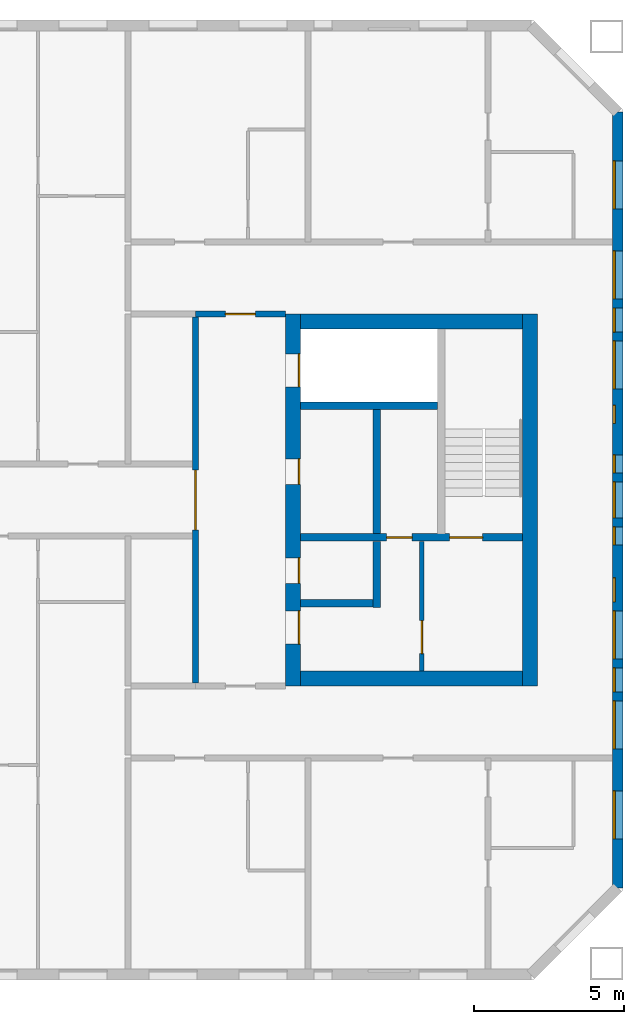
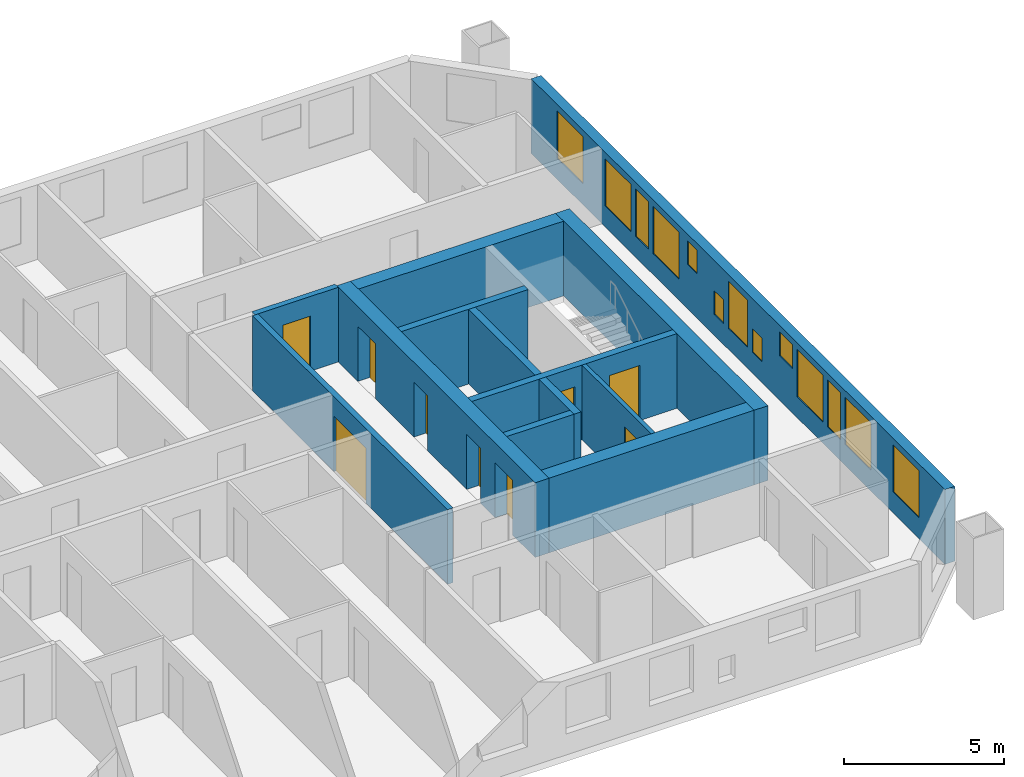
# One storey, part 12 of 15: 13 walls, 13 windows, 9 doors, 22 openings.
"""IFC4 building model written with IfcOpenShell, lengths in metres."""

from ifc_helpers import new_model, si_unit, direction, frame, frame_2d, origin, place, context, subcontext, project, spatial, rectangle, extrude, material, layer, layer_set, type_object, element, fill, save


model = new_model("IFC4")

# Units and contexts
model_context = context("Model", 3, precision=1e-05, world=origin(), true_north=direction((0.0, 1.0)))
body_context = subcontext(model_context, "Body", "Model", "MODEL_VIEW")
ifc_project = project(units=[si_unit("LENGTHUNIT", "METRE"), si_unit("AREAUNIT", "SQUARE_METRE"), si_unit("VOLUMEUNIT", "CUBIC_METRE"), si_unit("PLANEANGLEUNIT", "RADIAN"), si_unit("MASSUNIT", "GRAM", prefix="KILO")], contexts=[model_context])

# Site, building, storey
site_placement = place(None, origin())
site = spatial("IfcSite", under=ifc_project, at=site_placement, CompositionType="ELEMENT")
building_placement = place(site_placement, origin())
building = spatial("IfcBuilding", under=site, at=building_placement, Name="Tuart Gate Housing", CompositionType="ELEMENT")
storey_placement = place(building_placement, frame((0.0, 0.0, 154.699951171875)))
storey = spatial("IfcBuildingStorey", under=building, at=storey_placement, Name="L43", CompositionType="ELEMENT", Elevation=154.699951171875)

# Wall, openings, windows
ifc_material_1 = material(Name="Brick", Category="masonry")
ifc_layer_1 = layer(ifc_material_1, 0.360107421875)
ifc_layer_set_1 = layer_set([ifc_layer_1], Name="Brick pier and spandrel wall 360")
wall_type_1 = type_object("IfcWallType", Name="Brick pier and spandrel wall 360", PredefinedType="STANDARD", material=ifc_layer_set_1)
wall_1_placement = place(storey_placement, frame((171.320068359375, 57.07470703125, 0.0), z_axis=(0.0, 0.0, 1.0), x_axis=(0.0, 1.0, 0.0)))
wall_1 = element("IfcWall", 1, at=wall_1_placement, inside=storey, type_object=wall_type_1, Name="External wall B-E L43", PredefinedType="STANDARD", context=body_context, shape_type="SweptSolid", body=[
    extrude(rectangle(XDim=25.850830078125, YDim=0.360107421875, at=frame_2d((12.92529296875, 0.0))), origin(), (0.0, 0.0, 1.0), 2.85009765625),
])
opening_1_placement = place(wall_1_placement, frame((1.62548828125, 0.0, 0.800048828125)))
opening_1 = element("IfcOpeningElement", 2, at=opening_1_placement, cuts=wall_1, Name="Opening W1", PredefinedType="OPENING", context=body_context, shape_type="SweptSolid", body=[
    extrude(rectangle(XDim=1.60009765625, YDim=1.800048828125, at=frame_2d((0.800048828125, 0.89990234375))), frame((0.0, 0.18994140625, 0.0), z_axis=(0.0, -1.0, 0.0), x_axis=(1.0, 0.0, 0.0)), (0.0, 0.0, 1.0), 0.380126953125),
])
opening_2_placement = place(wall_1_placement, frame((4.62548828125, 0.0, 0.800048828125)))
opening_2 = element("IfcOpeningElement", 3, at=opening_2_placement, cuts=wall_1, Name="Opening W1", PredefinedType="OPENING", context=body_context, shape_type="SweptSolid", body=[
    extrude(rectangle(XDim=1.60009765625, YDim=1.800048828125, at=frame_2d((0.800048828125, 0.89990234375))), frame((0.0, 0.18994140625, 0.0), z_axis=(0.0, -1.0, 0.0), x_axis=(1.0, 0.0, 0.0)), (0.0, 0.0, 1.0), 0.380126953125),
])
opening_3_placement = place(wall_1_placement, frame((7.62548828125, 0.0, 0.800048828125)))
opening_3 = element("IfcOpeningElement", 4, at=opening_3_placement, cuts=wall_1, Name="Opening W1", PredefinedType="OPENING", context=body_context, shape_type="SweptSolid", body=[
    extrude(rectangle(XDim=1.60009765625, YDim=1.800048828125, at=frame_2d((0.800048828125, 0.89990234375))), frame((0.0, 0.18994140625, 0.0), z_axis=(0.0, -1.0, 0.0), x_axis=(1.0, 0.0, 0.0)), (0.0, 0.0, 1.0), 0.380126953125),
])
opening_4_placement = place(wall_1_placement, frame((6.525390625, 0.0, 0.800048828125)))
opening_4 = element("IfcOpeningElement", 5, at=opening_4_placement, cuts=wall_1, Name="Opening W1D", PredefinedType="OPENING", context=body_context, shape_type="SweptSolid", body=[
    extrude(rectangle(XDim=0.800048828125, YDim=1.800048828125, at=frame_2d((0.39990234375, 0.89990234375))), frame((0.0, 0.18994140625, 0.0), z_axis=(0.0, -1.0, 0.0), x_axis=(1.0, 0.0, 0.0)), (0.0, 0.0, 1.0), 0.380126953125),
])
opening_5_placement = place(wall_1_placement, frame((9.525390625, 0.0, 1.699951171875)))
opening_5 = element("IfcOpeningElement", 6, at=opening_5_placement, cuts=wall_1, Name="Opening W1V", PredefinedType="OPENING", context=body_context, shape_type="SweptSolid", body=[
    extrude(rectangle(XDim=0.800048828125, YDim=0.89990234375, at=frame_2d((0.39990234375, 0.449951171875))), frame((0.0, 0.18994140625, 0.0), z_axis=(0.0, -1.0, 0.0), x_axis=(1.0, 0.0, 0.0)), (0.0, 0.0, 1.0), 0.380126953125),
])
opening_6_placement = place(wall_1_placement, frame((16.62548828125, 0.0, 0.800048828125)))
opening_6 = element("IfcOpeningElement", 7, at=opening_6_placement, cuts=wall_1, Name="Opening W1", PredefinedType="OPENING", context=body_context, shape_type="SweptSolid", body=[
    extrude(rectangle(XDim=1.60009765625, YDim=1.800048828125, at=frame_2d((0.800048828125, 0.89990234375))), frame((0.0, 0.18994140625, 0.0), z_axis=(0.0, -1.0, 0.0), x_axis=(1.0, 0.0, 0.0)), (0.0, 0.0, 1.0), 0.380126953125),
])
opening_7_placement = place(wall_1_placement, frame((19.62548828125, 0.0, 0.800048828125)))
opening_7 = element("IfcOpeningElement", 8, at=opening_7_placement, cuts=wall_1, Name="Opening W1", PredefinedType="OPENING", context=body_context, shape_type="SweptSolid", body=[
    extrude(rectangle(XDim=1.60009765625, YDim=1.800048828125, at=frame_2d((0.800048828125, 0.89990234375))), frame((0.0, 0.18994140625, 0.0), z_axis=(0.0, -1.0, 0.0), x_axis=(1.0, 0.0, 0.0)), (0.0, 0.0, 1.0), 0.380126953125),
])
opening_8_placement = place(wall_1_placement, frame((22.62548828125, 0.0, 0.800048828125)))
opening_8 = element("IfcOpeningElement", 9, at=opening_8_placement, cuts=wall_1, Name="Opening W1", PredefinedType="OPENING", context=body_context, shape_type="SweptSolid", body=[
    extrude(rectangle(XDim=1.60009765625, YDim=1.800048828125, at=frame_2d((0.800048828125, 0.89990234375))), frame((0.0, 0.18994140625, 0.0), z_axis=(0.0, -1.0, 0.0), x_axis=(1.0, 0.0, 0.0)), (0.0, 0.0, 1.0), 0.380126953125),
])
opening_9_placement = place(wall_1_placement, frame((11.42529296875, 0.0, 0.800048828125)))
opening_9 = element("IfcOpeningElement", 10, at=opening_9_placement, cuts=wall_1, Name="Opening W1W", PredefinedType="OPENING", context=body_context, shape_type="SweptSolid", body=[
    extrude(rectangle(XDim=0.60009765625, YDim=0.89990234375, at=frame_2d((0.300048828125, 0.449951171875))), frame((0.0, 0.18994140625, 0.0), z_axis=(0.0, -1.0, 0.0), x_axis=(1.0, 0.0, 0.0)), (0.0, 0.0, 1.0), 0.380126953125),
])
opening_10_placement = place(wall_1_placement, frame((12.325439453125, 0.0, 0.800048828125)))
opening_10 = element("IfcOpeningElement", 11, at=opening_10_placement, cuts=wall_1, Name="Opening W1B", PredefinedType="OPENING", context=body_context, shape_type="SweptSolid", body=[
    extrude(rectangle(XDim=1.199951171875, YDim=1.800048828125, at=frame_2d((0.60009765625, 0.89990234375))), frame((0.0, 0.18994140625, 0.0), z_axis=(0.0, -1.0, 0.0), x_axis=(1.0, 0.0, 0.0)), (0.0, 0.0, 1.0), 0.380126953125),
])
opening_11_placement = place(wall_1_placement, frame((13.825439453125, 0.0, 0.800048828125)))
opening_11 = element("IfcOpeningElement", 12, at=opening_11_placement, cuts=wall_1, Name="Opening W1W", PredefinedType="OPENING", context=body_context, shape_type="SweptSolid", body=[
    extrude(rectangle(XDim=0.60009765625, YDim=0.89990234375, at=frame_2d((0.300048828125, 0.449951171875))), frame((0.0, 0.18994140625, 0.0), z_axis=(0.0, -1.0, 0.0), x_axis=(1.0, 0.0, 0.0)), (0.0, 0.0, 1.0), 0.380126953125),
])
opening_12_placement = place(wall_1_placement, frame((15.475341796875, 0.0, 1.699951171875)))
opening_12 = element("IfcOpeningElement", 13, at=opening_12_placement, cuts=wall_1, Name="Opening W1W", PredefinedType="OPENING", context=body_context, shape_type="SweptSolid", body=[
    extrude(rectangle(XDim=0.60009765625, YDim=0.89990234375, at=frame_2d((0.300048828125, 0.449951171875))), frame((0.0, 0.18994140625, 0.0), z_axis=(0.0, -1.0, 0.0), x_axis=(1.0, 0.0, 0.0)), (0.0, 0.0, 1.0), 0.380126953125),
])
opening_13_placement = place(wall_1_placement, frame((18.525390625, 0.0, 0.800048828125)))
opening_13 = element("IfcOpeningElement", 14, at=opening_13_placement, cuts=wall_1, Name="Opening W1D", PredefinedType="OPENING", context=body_context, shape_type="SweptSolid", body=[
    extrude(rectangle(XDim=0.800048828125, YDim=1.800048828125, at=frame_2d((0.39990234375, 0.89990234375))), frame((0.0, 0.18994140625, 0.0), z_axis=(0.0, -1.0, 0.0), x_axis=(1.0, 0.0, 0.0)), (0.0, 0.0, 1.0), 0.380126953125),
])
ifc_material_2 = material(Name="Aluminium frame with clear glass", Category="aluminium")
window_type_1 = type_object("IfcWindowType", Name="Punched window 1200 x 1800", PartitioningType="SINGLE_PANEL", PredefinedType="WINDOW", material=ifc_material_2)
window_1_placement = place(opening_10_placement, origin())
window_1 = element("IfcWindow", 15, at=window_1_placement, inside=storey, type_object=window_type_1, Name="Window W1B", OverallHeight=1.800048828125, OverallWidth=1.199951171875, PartitioningType="SINGLE_PANEL", PredefinedType="WINDOW", context=body_context, shape_type="SweptSolid", body=[
    extrude(rectangle(XDim=1.199951171875, YDim=1.800048828125, at=frame_2d((0.60009765625, 0.89990234375))), frame((0.0, 0.150146484375, 0.0), z_axis=(0.0, -1.0, 0.0), x_axis=(1.0, 0.0, 0.0)), (0.0, 0.0, 1.0), 0.06005859375),
])
fill(opening_10, window_1)
ifc_material_3 = material(Name="Aluminium frame with clear glass", Category="aluminium")
window_type_2 = type_object("IfcWindowType", Name="Punched window 1600 x 1800", PartitioningType="SINGLE_PANEL", PredefinedType="WINDOW", material=ifc_material_3)
window_2_placement = place(opening_1_placement, origin())
window_2 = element("IfcWindow", 16, at=window_2_placement, inside=storey, type_object=window_type_2, Name="Window W1", OverallHeight=1.800048828125, OverallWidth=1.60009765625, PartitioningType="SINGLE_PANEL", PredefinedType="WINDOW", context=body_context, shape_type="SweptSolid", body=[
    extrude(rectangle(XDim=1.60009765625, YDim=1.800048828125, at=frame_2d((0.800048828125, 0.89990234375))), frame((0.0, 0.150146484375, 0.0), z_axis=(0.0, -1.0, 0.0), x_axis=(1.0, 0.0, 0.0)), (0.0, 0.0, 1.0), 0.06005859375),
])
fill(opening_1, window_2)
window_3_placement = place(opening_2_placement, origin())
window_3 = element("IfcWindow", 17, at=window_3_placement, inside=storey, type_object=window_type_2, Name="Window W1", OverallHeight=1.800048828125, OverallWidth=1.60009765625, PartitioningType="SINGLE_PANEL", PredefinedType="WINDOW", context=body_context, shape_type="SweptSolid", body=[
    extrude(rectangle(XDim=1.60009765625, YDim=1.800048828125, at=frame_2d((0.800048828125, 0.89990234375))), frame((0.0, 0.150146484375, 0.0), z_axis=(0.0, -1.0, 0.0), x_axis=(1.0, 0.0, 0.0)), (0.0, 0.0, 1.0), 0.06005859375),
])
fill(opening_2, window_3)
window_4_placement = place(opening_3_placement, origin())
window_4 = element("IfcWindow", 18, at=window_4_placement, inside=storey, type_object=window_type_2, Name="Window W1", OverallHeight=1.800048828125, OverallWidth=1.60009765625, PartitioningType="SINGLE_PANEL", PredefinedType="WINDOW", context=body_context, shape_type="SweptSolid", body=[
    extrude(rectangle(XDim=1.60009765625, YDim=1.800048828125, at=frame_2d((0.800048828125, 0.89990234375))), frame((0.0, 0.150146484375, 0.0), z_axis=(0.0, -1.0, 0.0), x_axis=(1.0, 0.0, 0.0)), (0.0, 0.0, 1.0), 0.06005859375),
])
fill(opening_3, window_4)
window_5_placement = place(opening_6_placement, origin())
window_5 = element("IfcWindow", 19, at=window_5_placement, inside=storey, type_object=window_type_2, Name="Window W1", OverallHeight=1.800048828125, OverallWidth=1.60009765625, PartitioningType="SINGLE_PANEL", PredefinedType="WINDOW", context=body_context, shape_type="SweptSolid", body=[
    extrude(rectangle(XDim=1.60009765625, YDim=1.800048828125, at=frame_2d((0.800048828125, 0.89990234375))), frame((0.0, 0.150146484375, 0.0), z_axis=(0.0, -1.0, 0.0), x_axis=(1.0, 0.0, 0.0)), (0.0, 0.0, 1.0), 0.06005859375),
])
fill(opening_6, window_5)
window_6_placement = place(opening_7_placement, origin())
window_6 = element("IfcWindow", 20, at=window_6_placement, inside=storey, type_object=window_type_2, Name="Window W1", OverallHeight=1.800048828125, OverallWidth=1.60009765625, PartitioningType="SINGLE_PANEL", PredefinedType="WINDOW", context=body_context, shape_type="SweptSolid", body=[
    extrude(rectangle(XDim=1.60009765625, YDim=1.800048828125, at=frame_2d((0.800048828125, 0.89990234375))), frame((0.0, 0.150146484375, 0.0), z_axis=(0.0, -1.0, 0.0), x_axis=(1.0, 0.0, 0.0)), (0.0, 0.0, 1.0), 0.06005859375),
])
fill(opening_7, window_6)
window_7_placement = place(opening_8_placement, origin())
window_7 = element("IfcWindow", 21, at=window_7_placement, inside=storey, type_object=window_type_2, Name="Window W1", OverallHeight=1.800048828125, OverallWidth=1.60009765625, PartitioningType="SINGLE_PANEL", PredefinedType="WINDOW", context=body_context, shape_type="SweptSolid", body=[
    extrude(rectangle(XDim=1.60009765625, YDim=1.800048828125, at=frame_2d((0.800048828125, 0.89990234375))), frame((0.0, 0.150146484375, 0.0), z_axis=(0.0, -1.0, 0.0), x_axis=(1.0, 0.0, 0.0)), (0.0, 0.0, 1.0), 0.06005859375),
])
fill(opening_8, window_7)
ifc_material_4 = material(Name="Aluminium frame with clear glass", Category="aluminium")
window_type_3 = type_object("IfcWindowType", Name="Punched window 600 x 900", PartitioningType="SINGLE_PANEL", PredefinedType="WINDOW", material=ifc_material_4)
window_8_placement = place(opening_9_placement, origin())
window_8 = element("IfcWindow", 22, at=window_8_placement, inside=storey, type_object=window_type_3, Name="Window W1W", OverallHeight=0.89990234375, OverallWidth=0.60009765625, PartitioningType="SINGLE_PANEL", PredefinedType="WINDOW", context=body_context, shape_type="SweptSolid", body=[
    extrude(rectangle(XDim=0.60009765625, YDim=0.89990234375, at=frame_2d((0.300048828125, 0.449951171875))), frame((0.0, 0.150146484375, 0.0), z_axis=(0.0, -1.0, 0.0), x_axis=(1.0, 0.0, 0.0)), (0.0, 0.0, 1.0), 0.06005859375),
])
fill(opening_9, window_8)
window_9_placement = place(opening_11_placement, origin())
window_9 = element("IfcWindow", 23, at=window_9_placement, inside=storey, type_object=window_type_3, Name="Window W1W", OverallHeight=0.89990234375, OverallWidth=0.60009765625, PartitioningType="SINGLE_PANEL", PredefinedType="WINDOW", context=body_context, shape_type="SweptSolid", body=[
    extrude(rectangle(XDim=0.60009765625, YDim=0.89990234375, at=frame_2d((0.300048828125, 0.449951171875))), frame((0.0, 0.150146484375, 0.0), z_axis=(0.0, -1.0, 0.0), x_axis=(1.0, 0.0, 0.0)), (0.0, 0.0, 1.0), 0.06005859375),
])
fill(opening_11, window_9)
window_10_placement = place(opening_12_placement, origin())
window_10 = element("IfcWindow", 24, at=window_10_placement, inside=storey, type_object=window_type_3, Name="Window W1W", OverallHeight=0.89990234375, OverallWidth=0.60009765625, PartitioningType="SINGLE_PANEL", PredefinedType="WINDOW", context=body_context, shape_type="SweptSolid", body=[
    extrude(rectangle(XDim=0.60009765625, YDim=0.89990234375, at=frame_2d((0.300048828125, 0.449951171875))), frame((0.0, 0.150146484375, 0.0), z_axis=(0.0, -1.0, 0.0), x_axis=(1.0, 0.0, 0.0)), (0.0, 0.0, 1.0), 0.06005859375),
])
fill(opening_12, window_10)
ifc_material_5 = material(Name="Aluminium frame with clear glass", Category="aluminium")
window_type_4 = type_object("IfcWindowType", Name="Punched window 800 x 1800", PartitioningType="SINGLE_PANEL", PredefinedType="WINDOW", material=ifc_material_5)
window_11_placement = place(opening_4_placement, origin())
window_11 = element("IfcWindow", 25, at=window_11_placement, inside=storey, type_object=window_type_4, Name="Window W1D", OverallHeight=1.800048828125, OverallWidth=0.800048828125, PartitioningType="SINGLE_PANEL", PredefinedType="WINDOW", context=body_context, shape_type="SweptSolid", body=[
    extrude(rectangle(XDim=0.800048828125, YDim=1.800048828125, at=frame_2d((0.39990234375, 0.89990234375))), frame((0.0, 0.150146484375, 0.0), z_axis=(0.0, -1.0, 0.0), x_axis=(1.0, 0.0, 0.0)), (0.0, 0.0, 1.0), 0.06005859375),
])
fill(opening_4, window_11)
window_12_placement = place(opening_13_placement, origin())
window_12 = element("IfcWindow", 26, at=window_12_placement, inside=storey, type_object=window_type_4, Name="Window W1D", OverallHeight=1.800048828125, OverallWidth=0.800048828125, PartitioningType="SINGLE_PANEL", PredefinedType="WINDOW", context=body_context, shape_type="SweptSolid", body=[
    extrude(rectangle(XDim=0.800048828125, YDim=1.800048828125, at=frame_2d((0.39990234375, 0.89990234375))), frame((0.0, 0.150146484375, 0.0), z_axis=(0.0, -1.0, 0.0), x_axis=(1.0, 0.0, 0.0)), (0.0, 0.0, 1.0), 0.06005859375),
])
fill(opening_13, window_12)
ifc_material_6 = material(Name="Aluminium frame with clear glass", Category="aluminium")
window_type_5 = type_object("IfcWindowType", Name="Punched window 800 x 900", PartitioningType="SINGLE_PANEL", PredefinedType="WINDOW", material=ifc_material_6)
window_13_placement = place(opening_5_placement, origin())
window_13 = element("IfcWindow", 27, at=window_13_placement, inside=storey, type_object=window_type_5, Name="Window W1V", OverallHeight=0.89990234375, OverallWidth=0.800048828125, PartitioningType="SINGLE_PANEL", PredefinedType="WINDOW", context=body_context, shape_type="SweptSolid", body=[
    extrude(rectangle(XDim=0.800048828125, YDim=0.89990234375, at=frame_2d((0.39990234375, 0.449951171875))), frame((0.0, 0.150146484375, 0.0), z_axis=(0.0, -1.0, 0.0), x_axis=(1.0, 0.0, 0.0)), (0.0, 0.0, 1.0), 0.06005859375),
])
fill(opening_5, window_13)

# Wall, opening, door
ifc_material_7 = material(Name="Plasterboard partition")
ifc_layer_2 = layer(ifc_material_7, 0.14990234375)
ifc_layer_set_2 = layer_set([ifc_layer_2], Name="Core partition 150")
wall_type_2 = type_object("IfcWallType", Name="Core partition 150", PredefinedType="PARTITIONING", material=ifc_layer_set_2)
wall_2_placement = place(storey_placement, frame((164.7900390625, 68.625, 0.0), z_axis=(0.0, 0.0, 1.0), x_axis=(0.0, -1.0, 0.0)))
wall_2 = element("IfcWall", 28, at=wall_2_placement, inside=storey, type_object=wall_type_2, Name="Core partition BK.6", PredefinedType="PARTITIONING", context=body_context, shape_type="SweptSolid", body=[
    extrude(rectangle(XDim=4.324951171875, YDim=0.14990234375, at=frame_2d((2.16259765625, 0.0))), origin(), (0.0, 0.0, 1.0), 2.85009765625),
])
opening_14_placement = place(wall_2_placement, frame((2.64990234375, 0.0, 0.0)))
opening_14 = element("IfcOpeningElement", 29, at=opening_14_placement, cuts=wall_2, Name="Opening D1605", PredefinedType="OPENING", context=body_context, shape_type="SweptSolid", body=[
    extrude(rectangle(XDim=1.10009765625, YDim=2.10009765625, at=frame_2d((0.550048828125, 1.050048828125))), frame((0.0, 0.0849609375, 0.0), z_axis=(0.0, -1.0, 0.0), x_axis=(1.0, 0.0, 0.0)), (0.0, 0.0, 1.0), 0.169921875),
])
ifc_material_8 = material(Name="Steel fire door", Category="steel")
door_type_1 = type_object("IfcDoorType", Name="Lobby door 1100 x 2100 RH", OperationType="SINGLE_SWING_RIGHT", PredefinedType="DOOR", material=ifc_material_8)
door_1_placement = place(opening_14_placement, origin())
door_1 = element("IfcDoor", 30, at=door_1_placement, inside=storey, type_object=door_type_1, Name="Smoke lobby door BK.KD", OperationType="SINGLE_SWING_RIGHT", OverallHeight=2.10009765625, OverallWidth=1.10009765625, PredefinedType="DOOR", context=body_context, shape_type="SweptSolid", body=[
    extrude(rectangle(XDim=1.10009765625, YDim=2.10009765625, at=frame_2d((0.550048828125, 1.050048828125))), frame((0.0, 0.02490234375, 0.0), z_axis=(0.0, -1.0, 0.0), x_axis=(1.0, 0.0, 0.0)), (0.0, 0.0, 1.0), 0.050048828125),
])
fill(opening_14, door_1)

# Wall
ifc_material_9 = material(Name="Concrete C40", Category="concrete")
ifc_layer_3 = layer(ifc_material_9, 0.25)
ifc_layer_set_3 = layer_set([ifc_layer_3], Name="Core wall 250 C40")
wall_type_3 = type_object("IfcWallType", Name="Core wall 250 C40", PredefinedType="SHEAR", material=ifc_layer_set_3)
wall_3_placement = place(storey_placement, frame((160.739990234375, 73.14990234375, 0.0), z_axis=(0.0, 0.0, 1.0), x_axis=(1.0, 0.0, 0.0)))
element("IfcWall", 31, at=wall_3_placement, inside=storey, type_object=wall_type_3, Name="Core wall BK.1", PredefinedType="SHEAR", context=body_context, shape_type="SweptSolid", body=[
    extrude(rectangle(XDim=4.574951171875, YDim=0.25, at=frame_2d((2.28759765625, 0.0))), origin(), (0.0, 0.0, 1.0), 2.85009765625),
])

# Wall, openings, doors
wall_4_placement = place(storey_placement, frame((160.739990234375, 68.75, 0.0), z_axis=(0.0, 0.0, 1.0), x_axis=(1.0, 0.0, 0.0)))
wall_4 = element("IfcWall", 32, at=wall_4_placement, inside=storey, type_object=wall_type_3, Name="Core wall BK.2", PredefinedType="SHEAR", context=body_context, shape_type="SweptSolid", body=[
    extrude(rectangle(XDim=7.39990234375, YDim=0.25, at=frame_2d((3.699951171875, 0.0))), origin(), (0.0, 0.0, 1.0), 2.85009765625),
])
opening_15_placement = place(wall_4_placement, frame((4.97509765625, 0.0, 0.0)))
opening_15 = element("IfcOpeningElement", 33, at=opening_15_placement, cuts=wall_4, Name="Opening D1604", PredefinedType="OPENING", context=body_context, shape_type="SweptSolid", body=[
    extrude(rectangle(XDim=1.10009765625, YDim=2.10009765625, at=frame_2d((0.550048828125, 1.050048828125))), frame((0.0, 0.135009765625, 0.0), z_axis=(0.0, -1.0, 0.0), x_axis=(1.0, 0.0, 0.0)), (0.0, 0.0, 1.0), 0.27001953125),
])
opening_16_placement = place(wall_4_placement, frame((2.875, 0.0, 0.0)))
opening_16 = element("IfcOpeningElement", 34, at=opening_16_placement, cuts=wall_4, Name="Opening D1603", PredefinedType="OPENING", context=body_context, shape_type="SweptSolid", body=[
    extrude(rectangle(XDim=0.85009765625, YDim=2.10009765625, at=frame_2d((0.425048828125, 1.050048828125))), frame((0.0, 0.135009765625, 0.0), z_axis=(0.0, -1.0, 0.0), x_axis=(1.0, 0.0, 0.0)), (0.0, 0.0, 1.0), 0.27001953125),
])
ifc_material_10 = material(Name="Steel fire door", Category="steel")
door_type_2 = type_object("IfcDoorType", Name="Riser door 850 x 2100", OperationType="SINGLE_SWING_LEFT", PredefinedType="DOOR", material=ifc_material_10)
door_2_placement = place(opening_16_placement, origin())
door_2 = element("IfcDoor", 35, at=door_2_placement, inside=storey, type_object=door_type_2, Name="Service room door BK.W1", OperationType="SINGLE_SWING_LEFT", OverallHeight=2.10009765625, OverallWidth=0.85009765625, PredefinedType="DOOR", context=body_context, shape_type="SweptSolid", body=[
    extrude(rectangle(XDim=0.85009765625, YDim=2.10009765625, at=frame_2d((0.425048828125, 1.050048828125))), frame((0.0, 0.02490234375, 0.0), z_axis=(0.0, -1.0, 0.0), x_axis=(1.0, 0.0, 0.0)), (0.0, 0.0, 1.0), 0.050048828125),
])
fill(opening_16, door_2)
ifc_material_11 = material(Name="Steel fire door", Category="steel")
door_type_3 = type_object("IfcDoorType", Name="Stair door 1100 x 2100", OperationType="SINGLE_SWING_LEFT", PredefinedType="DOOR", material=ifc_material_11)
door_3_placement = place(opening_15_placement, origin())
door_3 = element("IfcDoor", 36, at=door_3_placement, inside=storey, type_object=door_type_3, Name="Stair door BK.SD", OperationType="SINGLE_SWING_LEFT", OverallHeight=2.10009765625, OverallWidth=1.10009765625, PredefinedType="DOOR", context=body_context, shape_type="SweptSolid", body=[
    extrude(rectangle(XDim=1.10009765625, YDim=2.10009765625, at=frame_2d((0.550048828125, 1.050048828125))), frame((0.0, 0.02490234375, 0.0), z_axis=(0.0, -1.0, 0.0), x_axis=(1.0, 0.0, 0.0)), (0.0, 0.0, 1.0), 0.050048828125),
])
fill(opening_15, door_3)

# Walls
wall_5_placement = place(storey_placement, frame((160.739990234375, 66.550048828125, 0.0), z_axis=(0.0, 0.0, 1.0), x_axis=(1.0, 0.0, 0.0)))
element("IfcWall", 37, at=wall_5_placement, inside=storey, type_object=wall_type_3, Name="Core wall BK.3", PredefinedType="SHEAR", context=body_context, shape_type="SweptSolid", body=[
    extrude(rectangle(XDim=2.425048828125, YDim=0.25, at=frame_2d((1.21240234375, 0.0))), origin(), (0.0, 0.0, 1.0), 2.85009765625),
])
wall_6_placement = place(storey_placement, frame((163.2900390625, 73.02490234375, 0.0), z_axis=(0.0, 0.0, 1.0), x_axis=(0.0, -1.0, 0.0)))
element("IfcWall", 38, at=wall_6_placement, inside=storey, type_object=wall_type_3, Name="Core wall BK.4", PredefinedType="SHEAR", context=body_context, shape_type="SweptSolid", body=[
    extrude(rectangle(XDim=4.14990234375, YDim=0.25, at=frame_2d((2.074951171875, 0.0))), origin(), (0.0, 0.0, 1.0), 2.85009765625),
])
wall_7_placement = place(storey_placement, frame((163.2900390625, 68.625, 0.0), z_axis=(0.0, 0.0, 1.0), x_axis=(0.0, -1.0, 0.0)))
element("IfcWall", 39, at=wall_7_placement, inside=storey, type_object=wall_type_3, Name="Core wall BK.5", PredefinedType="SHEAR", context=body_context, shape_type="SweptSolid", body=[
    extrude(rectangle(XDim=2.199951171875, YDim=0.25, at=frame_2d((1.10009765625, 0.0))), origin(), (0.0, 0.0, 1.0), 2.85009765625),
])

# Wall, openings, doors
ifc_material_12 = material(Name="Concrete C40", Category="concrete")
ifc_layer_4 = layer(ifc_material_12, 0.5)
ifc_layer_set_4 = layer_set([ifc_layer_4], Name="Core wall 500 C40")
wall_type_4 = type_object("IfcWallType", Name="Core wall 500 C40", PredefinedType="SHEAR", material=ifc_layer_set_4)
wall_8_placement = place(storey_placement, frame((160.489990234375, 76.199951171875, 0.0), z_axis=(0.0, 0.0, 1.0), x_axis=(0.0, -1.0, 0.0)))
wall_8 = element("IfcWall", 40, at=wall_8_placement, inside=storey, type_object=wall_type_4, Name="Core wall BK front", PredefinedType="SHEAR", context=body_context, shape_type="SweptSolid", body=[
    extrude(rectangle(XDim=12.39990234375, YDim=0.5, at=frame_2d((6.199951171875, 0.0))), origin(), (0.0, 0.0, 1.0), 2.85009765625),
])
opening_17_placement = place(wall_8_placement, frame((1.324951171875, 0.0, 0.0)))
opening_17 = element("IfcOpeningElement", 41, at=opening_17_placement, cuts=wall_8, Name="Opening LD-FB2", PredefinedType="OPENING", context=body_context, shape_type="SweptSolid", body=[
    extrude(rectangle(XDim=1.10009765625, YDim=2.10009765625, at=frame_2d((0.550048828125, 1.050048828125))), frame((0.0, 0.260009765625, 0.0), z_axis=(0.0, -1.0, 0.0), x_axis=(1.0, 0.0, 0.0)), (0.0, 0.0, 1.0), 0.52001953125),
])
opening_18_placement = place(wall_8_placement, frame((4.824951171875, 0.0, 0.0)))
opening_18 = element("IfcOpeningElement", 42, at=opening_18_placement, cuts=wall_8, Name="Opening D1599", PredefinedType="OPENING", context=body_context, shape_type="SweptSolid", body=[
    extrude(rectangle(XDim=0.85009765625, YDim=2.10009765625, at=frame_2d((0.425048828125, 1.050048828125))), frame((0.0, 0.260009765625, 0.0), z_axis=(0.0, -1.0, 0.0), x_axis=(1.0, 0.0, 0.0)), (0.0, 0.0, 1.0), 0.52001953125),
])
opening_19_placement = place(wall_8_placement, frame((9.89990234375, 0.0, 0.0)))
opening_19 = element("IfcOpeningElement", 43, at=opening_19_placement, cuts=wall_8, Name="Opening D1598", PredefinedType="OPENING", context=body_context, shape_type="SweptSolid", body=[
    extrude(rectangle(XDim=1.10009765625, YDim=2.10009765625, at=frame_2d((0.550048828125, 1.050048828125))), frame((0.0, 0.260009765625, 0.0), z_axis=(0.0, -1.0, 0.0), x_axis=(1.0, 0.0, 0.0)), (0.0, 0.0, 1.0), 0.52001953125),
])
opening_20_placement = place(wall_8_placement, frame((8.125, 0.0, 0.0)))
opening_20 = element("IfcOpeningElement", 44, at=opening_20_placement, cuts=wall_8, Name="Opening D1600", PredefinedType="OPENING", context=body_context, shape_type="SweptSolid", body=[
    extrude(rectangle(XDim=0.85009765625, YDim=2.10009765625, at=frame_2d((0.425048828125, 1.050048828125))), frame((0.0, 0.260009765625, 0.0), z_axis=(0.0, -1.0, 0.0), x_axis=(1.0, 0.0, 0.0)), (0.0, 0.0, 1.0), 0.52001953125),
])
ifc_material_13 = material(Name="Stainless steel", Category="steel")
door_type_4 = type_object("IfcDoorType", Name="Landing door 1100 x 2100", OperationType="DOUBLE_DOOR_SLIDING", PredefinedType="DOOR", material=ifc_material_13)
door_4_placement = place(opening_17_placement, origin())
door_4 = element("IfcDoor", 45, at=door_4_placement, inside=storey, type_object=door_type_4, Name="Lift landing door FB2", OperationType="DOUBLE_DOOR_SLIDING", OverallHeight=2.10009765625, OverallWidth=1.10009765625, PredefinedType="DOOR", context=body_context, shape_type="SweptSolid", body=[
    extrude(rectangle(XDim=1.10009765625, YDim=2.10009765625, at=frame_2d((0.550048828125, 1.050048828125))), frame((0.0, 0.23486328125, 0.0), z_axis=(0.0, -1.0, 0.0), x_axis=(1.0, 0.0, 0.0)), (0.0, 0.0, 1.0), 0.050048828125),
])
fill(opening_17, door_4)
ifc_material_14 = material(Name="Steel fire door", Category="steel")
door_type_5 = type_object("IfcDoorType", Name="Lobby door 1100 x 2100", OperationType="SINGLE_SWING_LEFT", PredefinedType="DOOR", material=ifc_material_14)
door_5_placement = place(opening_19_placement, origin())
door_5 = element("IfcDoor", 46, at=door_5_placement, inside=storey, type_object=door_type_5, Name="Lobby entry door BK.EN", OperationType="SINGLE_SWING_LEFT", OverallHeight=2.10009765625, OverallWidth=1.10009765625, PredefinedType="DOOR", context=body_context, shape_type="SweptSolid", body=[
    extrude(rectangle(XDim=1.10009765625, YDim=2.10009765625, at=frame_2d((0.550048828125, 1.050048828125))), frame((0.0, 0.23486328125, 0.0), z_axis=(0.0, -1.0, 0.0), x_axis=(1.0, 0.0, 0.0)), (0.0, 0.0, 1.0), 0.050048828125),
])
fill(opening_19, door_5)
ifc_material_15 = material(Name="Steel fire door", Category="steel")
door_type_6 = type_object("IfcDoorType", Name="Service door 850 x 2100", OperationType="SINGLE_SWING_LEFT", PredefinedType="DOOR", material=ifc_material_15)
door_6_placement = place(opening_18_placement, origin())
door_6 = element("IfcDoor", 47, at=door_6_placement, inside=storey, type_object=door_type_6, Name="Service room door BK.FR1", OperationType="SINGLE_SWING_LEFT", OverallHeight=2.10009765625, OverallWidth=0.85009765625, PredefinedType="DOOR", context=body_context, shape_type="SweptSolid", body=[
    extrude(rectangle(XDim=0.85009765625, YDim=2.10009765625, at=frame_2d((0.425048828125, 1.050048828125))), frame((0.0, 0.23486328125, 0.0), z_axis=(0.0, -1.0, 0.0), x_axis=(1.0, 0.0, 0.0)), (0.0, 0.0, 1.0), 0.050048828125),
])
fill(opening_18, door_6)
door_7_placement = place(opening_20_placement, origin())
door_7 = element("IfcDoor", 48, at=door_7_placement, inside=storey, type_object=door_type_6, Name="Service room door BK.T1", OperationType="SINGLE_SWING_LEFT", OverallHeight=2.10009765625, OverallWidth=0.85009765625, PredefinedType="DOOR", context=body_context, shape_type="SweptSolid", body=[
    extrude(rectangle(XDim=0.85009765625, YDim=2.10009765625, at=frame_2d((0.425048828125, 1.050048828125))), frame((0.0, 0.23486328125, 0.0), z_axis=(0.0, -1.0, 0.0), x_axis=(1.0, 0.0, 0.0)), (0.0, 0.0, 1.0), 0.050048828125),
])
fill(opening_20, door_7)

# Walls
wall_9_placement = place(storey_placement, frame((168.389892578125, 76.199951171875, 0.0), z_axis=(0.0, 0.0, 1.0), x_axis=(0.0, -1.0, 0.0)))
element("IfcWall", 49, at=wall_9_placement, inside=storey, type_object=wall_type_4, Name="Core wall BK back", PredefinedType="SHEAR", context=body_context, shape_type="SweptSolid", body=[
    extrude(rectangle(XDim=12.39990234375, YDim=0.5, at=frame_2d((6.199951171875, 0.0))), origin(), (0.0, 0.0, 1.0), 2.85009765625),
])
for number, where, z_axis, x_axis, name in (
    (50, (160.739990234375, 75.949951171875, 0.0), (0.0, 0.0, 1.0), (1.0, 0.0, 0.0), "Core wall BK south"),
    (51, (160.739990234375, 64.050048828125, 0.0), (0.0, 0.0, 1.0), (1.0, 0.0, 0.0), "Core wall BK north"),
):
    element("IfcWall", number, at=place(storey_placement, frame(where, z_axis=z_axis, x_axis=x_axis)), inside=storey, type_object=wall_type_4, Name=name, PredefinedType="SHEAR", context=body_context, shape_type="SweptSolid", body=[
        extrude(rectangle(XDim=7.39990234375, YDim=0.5, at=frame_2d((3.699951171875, 0.0))), origin(), (0.0, 0.0, 1.0), 2.85009765625),
    ])

# Wall, opening, door
ifc_material_16 = material(Name="Concrete masonry 15 MPa", Category="masonry")
ifc_layer_5 = layer(ifc_material_16, 0.199951171875)
ifc_layer_set_5 = layer_set([ifc_layer_5], Name="Enclosure wall masonry 200")
wall_type_5 = type_object("IfcWallType", Name="Enclosure wall masonry 200", PredefinedType="PARTITIONING", material=ifc_layer_set_5)
wall_10_placement = place(storey_placement, frame((157.239990234375, 76.199951171875, 0.0), z_axis=(0.0, 0.0, 1.0), x_axis=(1.0, 0.0, 0.0)))
wall_10 = element("IfcWall", 52, at=wall_10_placement, inside=storey, type_object=wall_type_5, Name="Enclosure wall masonry 200", PredefinedType="PARTITIONING", context=body_context, shape_type="SweptSolid", body=[
    extrude(rectangle(XDim=3.0, YDim=0.199951171875, at=frame_2d((1.5, 0.0))), origin(), (0.0, 0.0, 1.0), 2.85009765625),
])
opening_21_placement = place(wall_10_placement, frame((1.0, 0.0, 0.0)))
opening_21 = element("IfcOpeningElement", 53, at=opening_21_placement, cuts=wall_10, Name="Opening D1589", PredefinedType="OPENING", context=body_context, shape_type="SweptSolid", body=[
    extrude(rectangle(XDim=1.0, YDim=2.10009765625, at=frame_2d((0.5, 1.050048828125))), frame((0.0, 0.10986328125, 0.0), z_axis=(0.0, -1.0, 0.0), x_axis=(1.0, 0.0, 0.0)), (0.0, 0.0, 1.0), 0.219970703125),
])
ifc_material_17 = material(Name="Timber door leaf in steel frame", Category="steel")
door_type_7 = type_object("IfcDoorType", Name="Fire door 1000", OperationType="SINGLE_SWING_LEFT", PredefinedType="DOOR", material=ifc_material_17)
door_8_placement = place(opening_21_placement, origin())
door_8 = element("IfcDoor", 54, at=door_8_placement, inside=storey, type_object=door_type_7, Name="Fire door", OperationType="SINGLE_SWING_LEFT", OverallHeight=2.10009765625, OverallWidth=1.0, PredefinedType="DOOR", context=body_context, shape_type="SweptSolid", body=[
    extrude(rectangle(XDim=1.0, YDim=2.10009765625, at=frame_2d((0.5, 1.050048828125))), frame((0.0, 0.02490234375, 0.0), z_axis=(0.0, -1.0, 0.0), x_axis=(1.0, 0.0, 0.0)), (0.0, 0.0, 1.0), 0.050048828125),
])
fill(opening_21, door_8)

ifc_material_18 = material(Name="Plasterboard partition")
ifc_layer_6 = layer(ifc_material_18, 0.199951171875)
ifc_layer_set_6 = layer_set([ifc_layer_6], Name="Lobby wall 200")
wall_type_6 = type_object("IfcWallType", Name="Lobby wall 200", PredefinedType="PARTITIONING", material=ifc_layer_set_6)
wall_11_placement = place(storey_placement, frame((157.239990234375, 63.89990234375, 0.0), z_axis=(0.0, 0.0, 1.0), x_axis=(0.0, 1.0, 0.0)))
wall_11 = element("IfcWall", 55, at=wall_11_placement, inside=storey, type_object=wall_type_6, Name="Lift lobby wall BK", PredefinedType="PARTITIONING", context=body_context, shape_type="SweptSolid", body=[
    extrude(rectangle(XDim=12.2001953125, YDim=0.199951171875, at=frame_2d((6.10009765625, 0.0))), origin(), (0.0, 0.0, 1.0), 2.85009765625),
])
opening_22_placement = place(wall_11_placement, frame((5.10009765625, 0.0, 0.0)))
opening_22 = element("IfcOpeningElement", 56, at=opening_22_placement, cuts=wall_11, Name="Opening D1597", PredefinedType="OPENING", context=body_context, shape_type="SweptSolid", body=[
    extrude(rectangle(XDim=2.0, YDim=2.10009765625, at=frame_2d((1.0, 1.050048828125))), frame((0.0, 0.10986328125, 0.0), z_axis=(0.0, -1.0, 0.0), x_axis=(1.0, 0.0, 0.0)), (0.0, 0.0, 1.0), 0.219970703125),
])
ifc_material_19 = material(Name="Steel fire door", Category="steel")
door_type_8 = type_object("IfcDoorType", Name="Smoke door 2000 x 2100", OperationType="DOUBLE_DOOR_SINGLE_SWING", PredefinedType="DOOR", material=ifc_material_19)
door_9_placement = place(opening_22_placement, frame((2.0, 0.0, 0.0), z_axis=(0.0, 0.0, 1.0), x_axis=(-1.0, 0.0, 0.0)))
door_9 = element("IfcDoor", 57, at=door_9_placement, inside=storey, type_object=door_type_8, Name="Lift lobby smoke door BK", OperationType="DOUBLE_DOOR_SINGLE_SWING", OverallHeight=2.10009765625, OverallWidth=2.0, PredefinedType="DOOR", context=body_context, shape_type="SweptSolid", body=[
    extrude(rectangle(XDim=2.0, YDim=2.10009765625, at=frame_2d((1.0, 1.050048828125))), frame((0.0, 0.025146484375, 0.0), z_axis=(0.0, -1.0, 0.0), x_axis=(1.0, 0.0, 0.0)), (0.0, 0.0, 1.0), 0.050048828125),
])
fill(opening_22, door_9)

save(model, "model.ifc")
